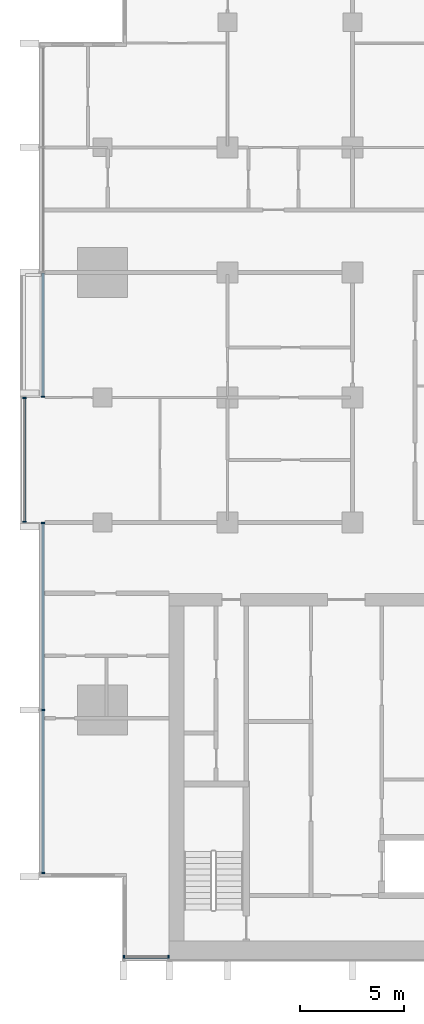
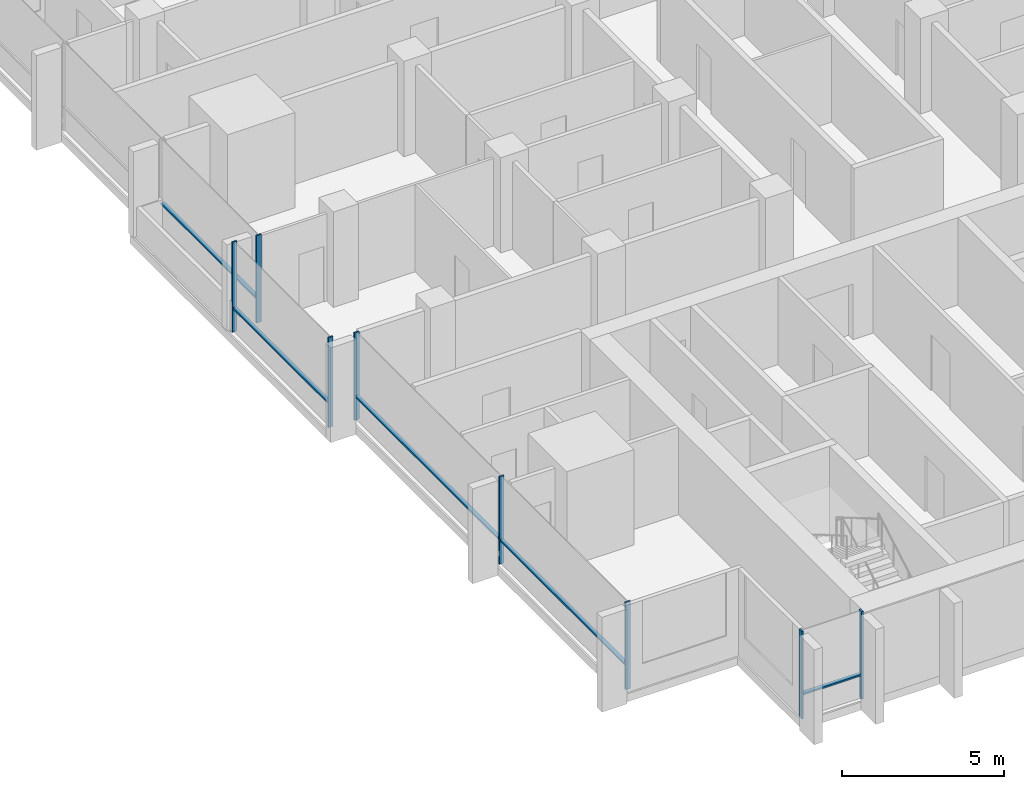
# One storey, part 2 of 17: 13 members, 4 elements without a shape of their own.
"""IFC4 building model written with IfcOpenShell, lengths in metres."""

from ifc_helpers import new_model, si_unit, direction, frame, origin, origin_2d, place, context, subcontext, project, spatial, rectangle, extrude, material, material_profile, profile_set, type_object, element, aggregate, save


model = new_model("IFC4")

# Units and contexts
model_context = context("Model", 3, precision=1e-05, world=origin(), true_north=direction((0.0, 1.0)))
body_context = subcontext(model_context, "Body", "Model", "MODEL_VIEW")
ifc_project = project(units=[si_unit("LENGTHUNIT", "METRE"), si_unit("AREAUNIT", "SQUARE_METRE"), si_unit("VOLUMEUNIT", "CUBIC_METRE"), si_unit("PLANEANGLEUNIT", "RADIAN"), si_unit("MASSUNIT", "GRAM", prefix="KILO")], contexts=[model_context])

# Site, building, storey
site_placement = place(None, origin())
site = spatial("IfcSite", under=ifc_project, at=site_placement, CompositionType="ELEMENT")
building_placement = place(site_placement, origin())
building = spatial("IfcBuilding", under=site, at=building_placement, Name="Finial Court Residences", CompositionType="ELEMENT")
storey_placement = place(building_placement, frame((0.0, 0.0, 170.89990234375)))
storey = spatial("IfcBuildingStorey", under=building, at=storey_placement, Name="L42", CompositionType="ELEMENT", Elevation=170.89990234375)

# Curtain wall, members
ifc_material = material(Name="Bronze anodised aluminium", Category="aluminium")
curtain_wall_type = type_object("IfcCurtainWallType", Name="Unitised curtain wall, upper zones", PredefinedType="NOTDEFINED", material=ifc_material)
curtain_wall_1_placement = place(storey_placement, origin())
curtain_wall_1 = element("IfcCurtainWall", 1, at=curtain_wall_1_placement, inside=storey, type_object=curtain_wall_type, Name="E-L42-CW-S8", PredefinedType="NOTDEFINED")
ifc_material_profile_1 = material_profile(ifc_material, rectangle(XDim=0.175048828125, YDim=0.06005859375, at=origin_2d()), Name="CW2 mullion 60 x 175")
ifc_profile_set_1 = profile_set([ifc_material_profile_1], Name="Bronze anodised aluminium")
member_type_1 = type_object("IfcMemberType", Name="CW2 mullion 60 x 175", PredefinedType="MULLION", material=ifc_profile_set_1)
member_1_placement = place(storey_placement, frame((-15.469970703125, -25.35009765625, 0.0), z_axis=(0.0, 0.0, 1.0), x_axis=(0.0, 1.0, 0.0)))
member_1 = element("IfcMember", 2, at=member_1_placement, type_object=member_type_1, Name="CW2 mullion 1", PredefinedType="MULLION", context=body_context, shape_type="SweptSolid", body=[
    extrude(rectangle(XDim=0.175048828125, YDim=0.06005859375, at=origin_2d()), origin(), (0.0, 0.0, 1.0), 3.300048828125),
])
member_2_placement = place(storey_placement, frame((-13.330078125, -25.35009765625, 0.0), z_axis=(0.0, 0.0, 1.0), x_axis=(0.0, 1.0, 0.0)))
member_2 = element("IfcMember", 3, at=member_2_placement, type_object=member_type_1, Name="CW2 mullion 2", PredefinedType="MULLION", context=body_context, shape_type="SweptSolid", body=[
    extrude(rectangle(XDim=0.175048828125, YDim=0.06005859375, at=origin_2d()), origin(), (0.0, 0.0, 1.0), 3.300048828125),
])

curtain_wall_2_placement = place(storey_placement, origin())
curtain_wall_2 = element("IfcCurtainWall", 4, at=curtain_wall_2_placement, inside=storey, type_object=curtain_wall_type, Name="E-L42-CW-W10", PredefinedType="NOTDEFINED")
member_3_placement = place(storey_placement, frame((-19.35009765625, -21.320068359375, 0.0), z_axis=(0.0, 0.0, 1.0), x_axis=(-1.0, 0.0, 0.0)))
member_3 = element("IfcMember", 5, at=member_3_placement, type_object=member_type_1, Name="CW2 mullion 1", PredefinedType="MULLION", context=body_context, shape_type="SweptSolid", body=[
    extrude(rectangle(XDim=0.175048828125, YDim=0.06005859375, at=origin_2d()), origin(), (0.0, 0.0, 1.0), 3.300048828125),
])
member_4_placement = place(storey_placement, frame((-19.35009765625, -13.5, 0.0), z_axis=(0.0, 0.0, 1.0), x_axis=(-1.0, 0.0, 0.0)))
member_4 = element("IfcMember", 6, at=member_4_placement, type_object=member_type_1, Name="CW2 mullion 2", PredefinedType="MULLION", context=body_context, shape_type="SweptSolid", body=[
    extrude(rectangle(XDim=0.175048828125, YDim=0.06005859375, at=origin_2d()), origin(), (0.0, 0.0, 1.0), 3.300048828125),
])
member_5_placement = place(storey_placement, frame((-19.35009765625, -4.530029296875, 0.0), z_axis=(0.0, 0.0, 1.0), x_axis=(-1.0, 0.0, 0.0)))
member_5 = element("IfcMember", 7, at=member_5_placement, type_object=member_type_1, Name="CW2 mullion 3", PredefinedType="MULLION", context=body_context, shape_type="SweptSolid", body=[
    extrude(rectangle(XDim=0.175048828125, YDim=0.06005859375, at=origin_2d()), origin(), (0.0, 0.0, 1.0), 3.300048828125),
])

curtain_wall_3_placement = place(storey_placement, origin())
curtain_wall_3 = element("IfcCurtainWall", 8, at=curtain_wall_3_placement, inside=storey, type_object=curtain_wall_type, Name="E-L42-CW-W11", PredefinedType="NOTDEFINED")
member_6_placement = place(storey_placement, frame((-20.25, -4.469970703125, 0.0), z_axis=(0.0, 0.0, 1.0), x_axis=(-1.0, 0.0, 0.0)))
member_6 = element("IfcMember", 9, at=member_6_placement, type_object=member_type_1, Name="CW2 mullion 1", PredefinedType="MULLION", context=body_context, shape_type="SweptSolid", body=[
    extrude(rectangle(XDim=0.175048828125, YDim=0.06005859375, at=origin_2d()), origin(), (0.0, 0.0, 1.0), 3.400146484375),
])
member_7_placement = place(storey_placement, frame((-20.25, 1.469970703125, 0.0), z_axis=(0.0, 0.0, 1.0), x_axis=(-1.0, 0.0, 0.0)))
member_7 = element("IfcMember", 10, at=member_7_placement, type_object=member_type_1, Name="CW2 mullion 2", PredefinedType="MULLION", context=body_context, shape_type="SweptSolid", body=[
    extrude(rectangle(XDim=0.175048828125, YDim=0.06005859375, at=origin_2d()), origin(), (0.0, 0.0, 1.0), 3.400146484375),
])

# Curtain wall, member
curtain_wall_4_placement = place(storey_placement, origin())
curtain_wall_4 = element("IfcCurtainWall", 11, at=curtain_wall_4_placement, inside=storey, type_object=curtain_wall_type, Name="E-L42-CW-W12", PredefinedType="NOTDEFINED")
member_8_placement = place(storey_placement, frame((-19.35009765625, 1.530029296875, 0.0), z_axis=(0.0, 0.0, 1.0), x_axis=(-1.0, 0.0, 0.0)))
member_8 = element("IfcMember", 12, at=member_8_placement, type_object=member_type_1, Name="CW2 mullion 1", PredefinedType="MULLION", context=body_context, shape_type="SweptSolid", body=[
    extrude(rectangle(XDim=0.175048828125, YDim=0.06005859375, at=origin_2d()), origin(), (0.0, 0.0, 1.0), 3.300048828125),
])

# Member
ifc_material_profile_2 = material_profile(ifc_material, rectangle(XDim=0.139892578125, YDim=0.06005859375, at=origin_2d()), Name="CW2 transom 60 x 140")
ifc_profile_set_2 = profile_set([ifc_material_profile_2], Name="Bronze anodised aluminium")
member_type_2 = type_object("IfcMemberType", Name="CW2 transom 60 x 140", PredefinedType="USERDEFINED", material=ifc_profile_set_2)
member_9_placement = place(storey_placement, frame((-15.43994140625, -25.35009765625, 0.900146484375), z_axis=(1.0, 0.0, 0.0), x_axis=(0.0, 1.0, 0.0)))
member_9 = element("IfcMember", 13, at=member_9_placement, type_object=member_type_2, Name="CW2 transom 1.1", ObjectType="TRANSOM", PredefinedType="USERDEFINED", context=body_context, shape_type="SweptSolid", body=[
    extrude(rectangle(XDim=0.139892578125, YDim=0.06005859375, at=origin_2d()), origin(), (0.0, 0.0, 1.0), 2.079833984375),
])

aggregate(curtain_wall_1, [member_1, member_2, member_9])

member_10_placement = place(storey_placement, frame((-19.35009765625, -21.2900390625, 0.900146484375), z_axis=(0.0, 1.0, 0.0), x_axis=(-1.0, 0.0, 0.0)))
member_10 = element("IfcMember", 14, at=member_10_placement, type_object=member_type_2, Name="CW2 transom 1.1", ObjectType="TRANSOM", PredefinedType="USERDEFINED", context=body_context, shape_type="SweptSolid", body=[
    extrude(rectangle(XDim=0.139892578125, YDim=0.06005859375, at=origin_2d()), origin(), (0.0, 0.0, 1.0), 7.760009765625),
])

member_11_placement = place(storey_placement, frame((-19.35009765625, -13.469970703125, 0.900146484375), z_axis=(0.0, 1.0, 0.0), x_axis=(-1.0, 0.0, 0.0)))
member_11 = element("IfcMember", 15, at=member_11_placement, type_object=member_type_2, Name="CW2 transom 2.1", ObjectType="TRANSOM", PredefinedType="USERDEFINED", context=body_context, shape_type="SweptSolid", body=[
    extrude(rectangle(XDim=0.139892578125, YDim=0.06005859375, at=origin_2d()), origin(), (0.0, 0.0, 1.0), 8.909912109375),
])

aggregate(curtain_wall_2, [member_3, member_4, member_5, member_10, member_11])

member_12_placement = place(storey_placement, frame((-20.25, -4.43994140625, 0.900146484375), z_axis=(0.0, 1.0, 0.0), x_axis=(-1.0, 0.0, 0.0)))
member_12 = element("IfcMember", 16, at=member_12_placement, type_object=member_type_2, Name="CW2 transom 1.1", ObjectType="TRANSOM", PredefinedType="USERDEFINED", context=body_context, shape_type="SweptSolid", body=[
    extrude(rectangle(XDim=0.139892578125, YDim=0.06005859375, at=origin_2d()), origin(), (0.0, 0.0, 1.0), 5.8798828125),
])

aggregate(curtain_wall_3, [member_6, member_7, member_12])

member_13_placement = place(storey_placement, frame((-19.35009765625, 1.56005859375, 0.900146484375), z_axis=(0.0, 1.0, 0.0), x_axis=(-1.0, 0.0, 0.0)))
member_13 = element("IfcMember", 17, at=member_13_placement, type_object=member_type_2, Name="CW2 transom 1.1", ObjectType="TRANSOM", PredefinedType="USERDEFINED", context=body_context, shape_type="SweptSolid", body=[
    extrude(rectangle(XDim=0.139892578125, YDim=0.06005859375, at=origin_2d()), origin(), (0.0, 0.0, 1.0), 5.909912109375),
])

aggregate(curtain_wall_4, [member_8, member_13])

save(model, "model.ifc")
